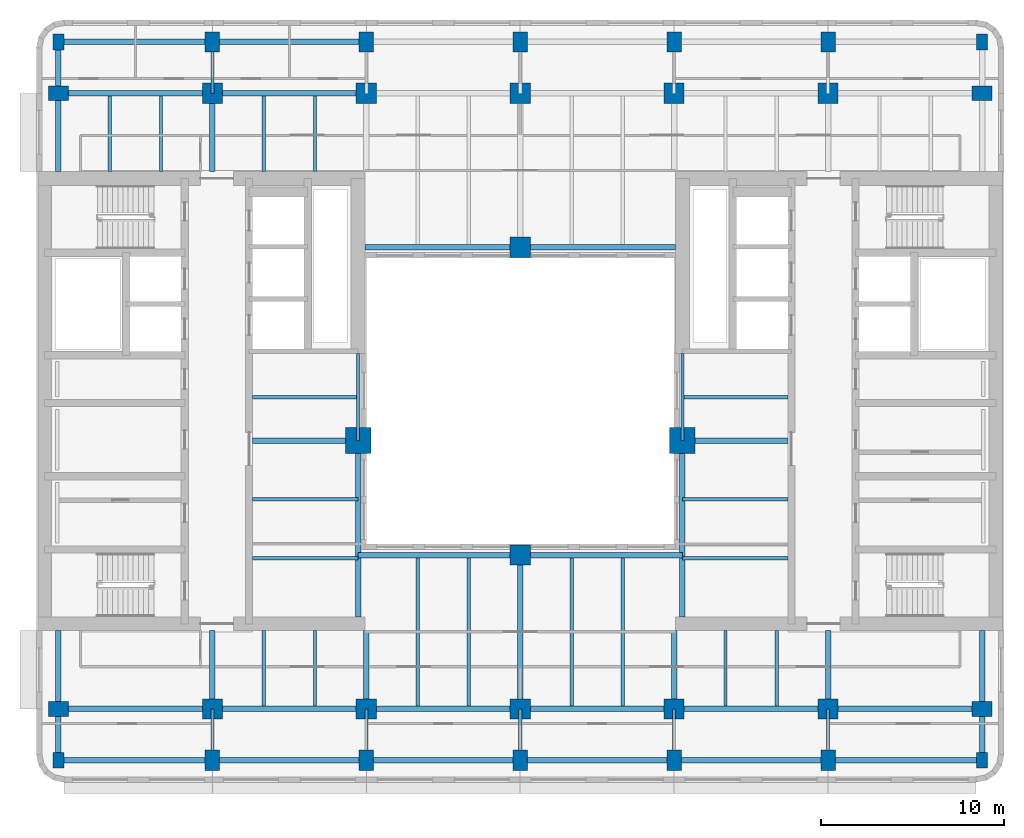
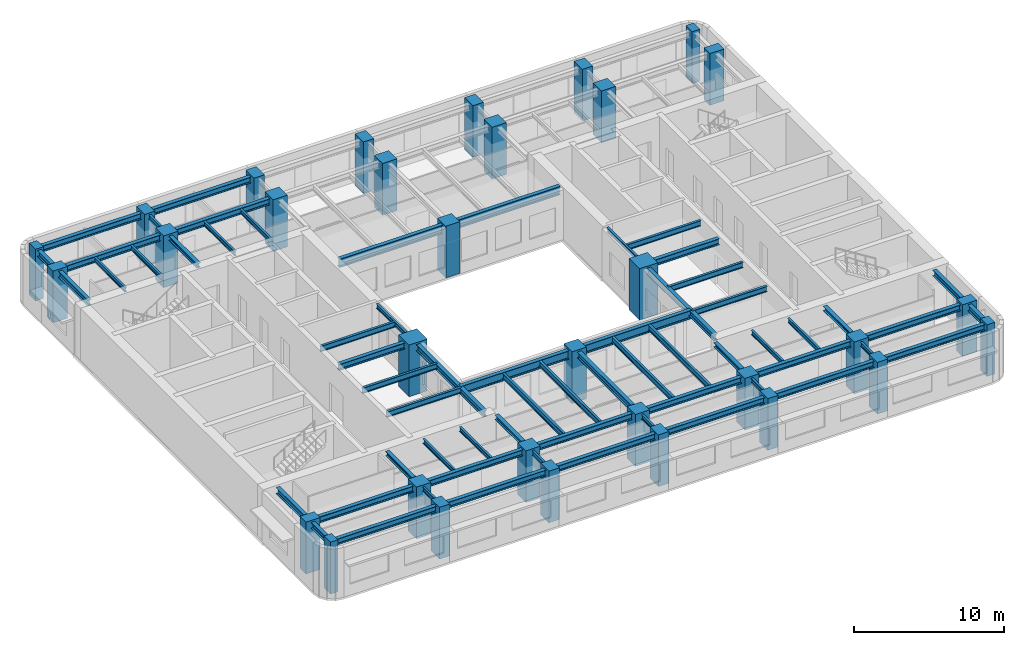
# One storey, part 1 of 11: 62 beams, 32 columns.
"""IFC4 building model written with IfcOpenShell, lengths in metres."""

from ifc_helpers import new_model, si_unit, direction, frame, origin, origin_2d, place, context, subcontext, project, spatial, rectangle, i_section, extrude, material, material_profile, profile_set, type_object, element, save


model = new_model("IFC4")

# Units and contexts
model_context = context("Model", 3, precision=1e-05, world=origin(), true_north=direction((0.0, 1.0)))
body_context = subcontext(model_context, "Body", "Model", "MODEL_VIEW")
ifc_project = project(units=[si_unit("LENGTHUNIT", "METRE"), si_unit("AREAUNIT", "SQUARE_METRE"), si_unit("VOLUMEUNIT", "CUBIC_METRE"), si_unit("PLANEANGLEUNIT", "RADIAN"), si_unit("MASSUNIT", "GRAM", prefix="KILO")], contexts=[model_context])

# Site, building, storey
site_placement = place(None, origin())
site = spatial("IfcSite", under=ifc_project, at=site_placement, CompositionType="ELEMENT")
building_placement = place(site_placement, origin())
building = spatial("IfcBuilding", under=site, at=building_placement, Name="Claustro Exchange Tower", CompositionType="ELEMENT")
storey_placement = place(building_placement, frame((0.0, 0.0, 194.39990234375)))
storey = spatial("IfcBuildingStorey", under=building, at=storey_placement, Name="L44", CompositionType="ELEMENT", Elevation=194.39990234375)

# Columns
ifc_material_1 = material(Name="Concrete HA-70 (C70/85)", Category="concrete")
ifc_material_profile_1 = material_profile(ifc_material_1, rectangle(XDim=1.39990234375, YDim=1.39990234375, at=origin_2d()), Name="RC 1400x1400")
ifc_profile_set_1 = profile_set([ifc_material_profile_1], Name="Concrete HA-70 (C70/85)")
column_type_1 = type_object("IfcColumnType", Name="C0 RC 1400x1400 HA-70 column", PredefinedType="COLUMN", material=ifc_profile_set_1)
for number, where, z_axis, x_axis, name in (
    (1, (16.35009765625, 23.050048828125, 0.0), (0.0, 0.0, 1.0), (1.0, 0.0, 0.0), "Column C0 2+7950/C+6250 L44"),
    (2, (34.050048828125, 23.050048828125, 0.0), (0.0, 0.0, 1.0), (1.0, 0.0, 0.0), "Column C0 5+450/C+6250 L44"),
):
    element("IfcColumn", number, at=place(storey_placement, frame(where, z_axis=z_axis, x_axis=x_axis)), inside=storey, type_object=column_type_1, Name=name, PredefinedType="COLUMN", context=body_context, shape_type="SweptSolid", body=[
        extrude(rectangle(XDim=1.39990234375, YDim=1.39990234375, at=origin_2d()), origin(), (0.0, 0.0, 1.0), 4.2001953125),
    ])
ifc_material_2 = material(Name="Concrete HA-70 (C70/85)", Category="concrete")
ifc_material_profile_2 = material_profile(ifc_material_2, rectangle(XDim=1.10009765625, YDim=1.10009765625, at=origin_2d()), Name="RC 1100x1100")
ifc_profile_set_2 = profile_set([ifc_material_profile_2], Name="Concrete HA-70 (C70/85)")
column_type_2 = type_object("IfcColumnType", Name="C17 RC 1100x1100 HA-70 column", PredefinedType="COLUMN", material=ifc_profile_set_2)
for number, where, z_axis, x_axis, name in (
    (3, (8.39990234375, 8.39990234375, 0.0), (0.0, 0.0, 1.0), (1.0, 0.0, 0.0), "Column C17 2/B L44"),
    (4, (8.39990234375, 42.0, 0.0), (0.0, 0.0, 1.0), (1.0, 0.0, 0.0), "Column C17 2/F L44"),
    (5, (16.800048828125, 8.39990234375, 0.0), (0.0, 0.0, 1.0), (1.0, 0.0, 0.0), "Column C17 3/B L44"),
    (6, (16.800048828125, 42.0, 0.0), (0.0, 0.0, 1.0), (1.0, 0.0, 0.0), "Column C17 3/F L44"),
    (7, (25.199951171875, 8.39990234375, 0.0), (0.0, 0.0, 1.0), (1.0, 0.0, 0.0), "Column C17 4/B L44"),
    (8, (25.199951171875, 42.0, 0.0), (0.0, 0.0, 1.0), (1.0, 0.0, 0.0), "Column C17 4/F L44"),
    (9, (25.199951171875, 16.800048828125, 0.0), (0.0, 0.0, 1.0), (1.0, 0.0, 0.0), "Column C17 4/C L44"),
    (10, (25.199951171875, 33.60009765625, 0.0), (0.0, 0.0, 1.0), (1.0, 0.0, 0.0), "Column C17 4/E L44"),
    (11, (33.60009765625, 8.39990234375, 0.0), (0.0, 0.0, 1.0), (1.0, 0.0, 0.0), "Column C17 5/B L44"),
    (12, (33.60009765625, 42.0, 0.0), (0.0, 0.0, 1.0), (1.0, 0.0, 0.0), "Column C17 5/F L44"),
    (13, (42.0, 8.39990234375, 0.0), (0.0, 0.0, 1.0), (1.0, 0.0, 0.0), "Column C17 6/B L44"),
    (14, (42.0, 42.0, 0.0), (0.0, 0.0, 1.0), (1.0, 0.0, 0.0), "Column C17 6/F L44"),
):
    element("IfcColumn", number, at=place(storey_placement, frame(where, z_axis=z_axis, x_axis=x_axis)), inside=storey, type_object=column_type_2, Name=name, PredefinedType="COLUMN", context=body_context, shape_type="SweptSolid", body=[
        extrude(rectangle(XDim=1.10009765625, YDim=1.10009765625, at=origin_2d()), origin(), (0.0, 0.0, 1.0), 4.2001953125),
    ])
ifc_material_3 = material(Name="Concrete HA-50 (C50/60)", Category="concrete")
ifc_material_profile_3 = material_profile(ifc_material_3, rectangle(XDim=0.800048828125, YDim=1.10009765625, at=origin_2d()), Name="RC 800x1100")
ifc_profile_set_3 = profile_set([ifc_material_profile_3], Name="Concrete HA-50 (C50/60)")
column_type_3 = type_object("IfcColumnType", Name="C23 RC 800x1100 HA-50 perimeter column", PredefinedType="COLUMN", material=ifc_profile_set_3)
for number, where, z_axis, x_axis, name in (
    (15, (0.0, 8.39990234375, 0.0), (0.0, 0.0, 1.0), (0.0, 1.0, 0.0), "Column C23 1/B L44"),
    (16, (0.0, 42.0, 0.0), (0.0, 0.0, 1.0), (0.0, 1.0, 0.0), "Column C23 1/F L44"),
    (17, (8.39990234375, 5.60009765625, 0.0), (0.0, 0.0, 1.0), (1.0, 0.0, 0.0), "Column C23 2/A+5600 L44"),
    (18, (8.39990234375, 44.800048828125, 0.0), (0.0, 0.0, 1.0), (1.0, 0.0, 0.0), "Column C23 2/F+2800 L44"),
    (19, (16.800048828125, 5.60009765625, 0.0), (0.0, 0.0, 1.0), (1.0, 0.0, 0.0), "Column C23 3/A+5600 L44"),
    (20, (16.800048828125, 44.800048828125, 0.0), (0.0, 0.0, 1.0), (1.0, 0.0, 0.0), "Column C23 3/F+2800 L44"),
    (21, (25.199951171875, 5.60009765625, 0.0), (0.0, 0.0, 1.0), (1.0, 0.0, 0.0), "Column C23 4/A+5600 L44"),
    (22, (25.199951171875, 44.800048828125, 0.0), (0.0, 0.0, 1.0), (1.0, 0.0, 0.0), "Column C23 4/F+2800 L44"),
    (23, (33.60009765625, 5.60009765625, 0.0), (0.0, 0.0, 1.0), (1.0, 0.0, 0.0), "Column C23 5/A+5600 L44"),
    (24, (33.60009765625, 44.800048828125, 0.0), (0.0, 0.0, 1.0), (1.0, 0.0, 0.0), "Column C23 5/F+2800 L44"),
    (25, (42.0, 5.60009765625, 0.0), (0.0, 0.0, 1.0), (1.0, 0.0, 0.0), "Column C23 6/A+5600 L44"),
    (26, (42.0, 44.800048828125, 0.0), (0.0, 0.0, 1.0), (1.0, 0.0, 0.0), "Column C23 6/F+2800 L44"),
    (27, (50.39990234375, 8.39990234375, 0.0), (0.0, 0.0, 1.0), (0.0, 1.0, 0.0), "Column C23 7/B L44"),
    (28, (50.39990234375, 42.0, 0.0), (0.0, 0.0, 1.0), (0.0, 1.0, 0.0), "Column C23 7/F L44"),
):
    element("IfcColumn", number, at=place(storey_placement, frame(where, z_axis=z_axis, x_axis=x_axis)), inside=storey, type_object=column_type_3, Name=name, PredefinedType="COLUMN", context=body_context, shape_type="SweptSolid", body=[
        extrude(rectangle(XDim=0.800048828125, YDim=1.10009765625, at=origin_2d()), origin(), (0.0, 0.0, 1.0), 4.2001953125),
    ])
ifc_material_4 = material(Name="Concrete HA-50 (C50/60)", Category="concrete")
ifc_material_profile_4 = material_profile(ifc_material_4, rectangle(XDim=0.60009765625, YDim=0.85009765625, at=origin_2d()), Name="RC 600x850")
ifc_profile_set_4 = profile_set([ifc_material_profile_4], Name="Concrete HA-50 (C50/60)")
column_type_4 = type_object("IfcColumnType", Name="C25 RC 600x850 HA-50 corner column", PredefinedType="COLUMN", material=ifc_profile_set_4)
for number, where, z_axis, x_axis, name in (
    (29, (0.0, 5.60009765625, 0.0), (0.0, 0.0, 1.0), (1.0, 0.0, 0.0), "Column C25 1/A+5600 L44"),
    (30, (0.0, 44.800048828125, 0.0), (0.0, 0.0, 1.0), (1.0, 0.0, 0.0), "Column C25 1/F+2800 L44"),
    (31, (50.39990234375, 5.60009765625, 0.0), (0.0, 0.0, 1.0), (1.0, 0.0, 0.0), "Column C25 7/A+5600 L44"),
    (32, (50.39990234375, 44.800048828125, 0.0), (0.0, 0.0, 1.0), (1.0, 0.0, 0.0), "Column C25 7/F+2800 L44"),
):
    element("IfcColumn", number, at=place(storey_placement, frame(where, z_axis=z_axis, x_axis=x_axis)), inside=storey, type_object=column_type_4, Name=name, PredefinedType="COLUMN", context=body_context, shape_type="SweptSolid", body=[
        extrude(rectangle(XDim=0.60009765625, YDim=0.85009765625, at=origin_2d()), origin(), (0.0, 0.0, 1.0), 4.2001953125),
    ])

# Beams
ifc_material_5 = material(Name="Steel S355", Category="steel")
ifc_material_profile_5 = material_profile(ifc_material_5, i_section(OverallWidth=0.300048828125, OverallDepth=0.68994140625, WebThickness=0.014404296875, FlangeThickness=0.027099609375, FilletRadius=0.027099609375, at=origin_2d()), Name="HE 700 A")
ifc_profile_set_5 = profile_set([ifc_material_profile_5], Name="Steel S355")
beam_type_1 = type_object("IfcBeamType", Name="B13 HE 700 A light well edge girder", PredefinedType="BEAM", material=ifc_profile_set_5)
beam_1_placement = place(storey_placement, frame((16.35009765625, 16.800048828125, 3.705078125), z_axis=(1.0, 0.0, 0.0), x_axis=(0.0, 1.0, 0.0)))
element("IfcBeam", 33, at=beam_1_placement, inside=storey, type_object=beam_type_1, Name="Beam B13 L45", PredefinedType="BEAM", context=body_context, shape_type="SweptSolid", body=[
    extrude(i_section(OverallWidth=0.300048828125, OverallDepth=0.68994140625, WebThickness=0.014404296875, FlangeThickness=0.027099609375, FilletRadius=0.027099609375, at=origin_2d()), origin(), (0.0, 0.0, 1.0), 8.849853515625),
])
beam_2_placement = place(storey_placement, frame((25.199951171875, 16.800048828125, 3.705078125), z_axis=(1.0, 0.0, 0.0), x_axis=(0.0, 1.0, 0.0)))
element("IfcBeam", 34, at=beam_2_placement, inside=storey, type_object=beam_type_1, Name="Beam B13 L45", PredefinedType="BEAM", context=body_context, shape_type="SweptSolid", body=[
    extrude(i_section(OverallWidth=0.300048828125, OverallDepth=0.68994140625, WebThickness=0.014404296875, FlangeThickness=0.027099609375, FilletRadius=0.027099609375, at=origin_2d()), origin(), (0.0, 0.0, 1.0), 8.85009765625),
])
beam_3_placement = place(storey_placement, frame((16.72509765625, 33.60009765625, 3.705078125), z_axis=(1.0, 0.0, 0.0), x_axis=(0.0, 1.0, 0.0)))
element("IfcBeam", 35, at=beam_3_placement, inside=storey, type_object=beam_type_1, Name="Beam B13 L45", PredefinedType="BEAM", context=body_context, shape_type="SweptSolid", body=[
    extrude(i_section(OverallWidth=0.300048828125, OverallDepth=0.68994140625, WebThickness=0.014404296875, FlangeThickness=0.027099609375, FilletRadius=0.027099609375, at=origin_2d()), origin(), (0.0, 0.0, 1.0), 8.474853515625),
])
beam_4_placement = place(storey_placement, frame((25.199951171875, 33.60009765625, 3.705078125), z_axis=(1.0, 0.0, 0.0), x_axis=(0.0, 1.0, 0.0)))
element("IfcBeam", 36, at=beam_4_placement, inside=storey, type_object=beam_type_1, Name="Beam B13 L45", PredefinedType="BEAM", context=body_context, shape_type="SweptSolid", body=[
    extrude(i_section(OverallWidth=0.300048828125, OverallDepth=0.68994140625, WebThickness=0.014404296875, FlangeThickness=0.027099609375, FilletRadius=0.027099609375, at=origin_2d()), origin(), (0.0, 0.0, 1.0), 8.47509765625),
])
ifc_material_6 = material(Name="Steel S355", Category="steel")
ifc_material_profile_6 = material_profile(ifc_material_6, i_section(OverallWidth=0.169921875, OverallDepth=0.360107421875, WebThickness=0.008056640625, FlangeThickness=0.0126953125, FilletRadius=0.01806640625, at=origin_2d()), Name="IPE 360")
ifc_profile_set_6 = profile_set([ifc_material_profile_6], Name="Steel S355")
beam_type_2 = type_object("IfcBeamType", Name="B16 IPE 360 short-span beam", PredefinedType="BEAM", material=ifc_profile_set_6)
beam_5_placement = place(storey_placement, frame((8.39990234375, 5.60009765625, 3.8701171875), z_axis=(0.0, 1.0, 0.0), x_axis=(-1.0, 0.0, 0.0)))
element("IfcBeam", 37, at=beam_5_placement, inside=storey, type_object=beam_type_2, Name="Beam B16 L45", PredefinedType="BEAM", context=body_context, shape_type="SweptSolid", body=[
    extrude(i_section(OverallWidth=0.169921875, OverallDepth=0.360107421875, WebThickness=0.008056640625, FlangeThickness=0.0126953125, FilletRadius=0.01806640625, at=origin_2d()), origin(), (0.0, 0.0, 1.0), 2.7998046875),
])
beam_6_placement = place(storey_placement, frame((8.39990234375, 42.0, 3.8701171875), z_axis=(0.0, 1.0, 0.0), x_axis=(-1.0, 0.0, 0.0)))
element("IfcBeam", 38, at=beam_6_placement, inside=storey, type_object=beam_type_2, Name="Beam B16 L45", PredefinedType="BEAM", context=body_context, shape_type="SweptSolid", body=[
    extrude(i_section(OverallWidth=0.169921875, OverallDepth=0.360107421875, WebThickness=0.008056640625, FlangeThickness=0.0126953125, FilletRadius=0.01806640625, at=origin_2d()), origin(), (0.0, 0.0, 1.0), 2.800048828125),
])
for number, where, z_axis, x_axis, name in (
    (39, (16.800048828125, 5.60009765625, 3.8701171875), (0.0, 1.0, 0.0), (-1.0, 0.0, 0.0), "Beam B16 L45"),
    (40, (25.199951171875, 5.60009765625, 3.8701171875), (0.0, 1.0, 0.0), (-1.0, 0.0, 0.0), "Beam B16 L45"),
    (41, (33.60009765625, 5.60009765625, 3.8701171875), (0.0, 1.0, 0.0), (-1.0, 0.0, 0.0), "Beam B16 L45"),
    (42, (42.0, 5.60009765625, 3.8701171875), (0.0, 1.0, 0.0), (-1.0, 0.0, 0.0), "Beam B16 L45"),
):
    element("IfcBeam", number, at=place(storey_placement, frame(where, z_axis=z_axis, x_axis=x_axis)), inside=storey, type_object=beam_type_2, Name=name, PredefinedType="BEAM", context=body_context, shape_type="SweptSolid", body=[
        extrude(i_section(OverallWidth=0.169921875, OverallDepth=0.360107421875, WebThickness=0.008056640625, FlangeThickness=0.0126953125, FilletRadius=0.01806640625, at=origin_2d()), origin(), (0.0, 0.0, 1.0), 2.7998046875),
    ])
for number, where, z_axis, x_axis, name in (
    (43, (2.800048828125, 37.72509765625, 3.8701171875), (0.0, 1.0, 0.0), (-1.0, 0.0, 0.0), "Beam B16 L45"),
    (44, (5.60009765625, 37.72509765625, 3.8701171875), (0.0, 1.0, 0.0), (-1.0, 0.0, 0.0), "Beam B16 L45"),
    (45, (11.199951171875, 8.550048828125, 3.8701171875), (0.0, 1.0, 0.0), (-1.0, 0.0, 0.0), "Beam B16 L45"),
    (46, (14.0, 8.550048828125, 3.8701171875), (0.0, 1.0, 0.0), (-1.0, 0.0, 0.0), "Beam B16 L45"),
    (47, (11.199951171875, 37.72509765625, 3.8701171875), (0.0, 1.0, 0.0), (-1.0, 0.0, 0.0), "Beam B16 L45"),
    (48, (14.0, 37.72509765625, 3.8701171875), (0.0, 1.0, 0.0), (-1.0, 0.0, 0.0), "Beam B16 L45"),
    (49, (36.39990234375, 8.550048828125, 3.8701171875), (0.0, 1.0, 0.0), (-1.0, 0.0, 0.0), "Beam B16 L45"),
    (50, (39.199951171875, 8.550048828125, 3.8701171875), (0.0, 1.0, 0.0), (-1.0, 0.0, 0.0), "Beam B16 L45"),
):
    element("IfcBeam", number, at=place(storey_placement, frame(where, z_axis=z_axis, x_axis=x_axis)), inside=storey, type_object=beam_type_2, Name=name, PredefinedType="BEAM", context=body_context, shape_type="SweptSolid", body=[
        extrude(i_section(OverallWidth=0.169921875, OverallDepth=0.360107421875, WebThickness=0.008056640625, FlangeThickness=0.0126953125, FilletRadius=0.01806640625, at=origin_2d()), origin(), (0.0, 0.0, 1.0), 4.125),
    ])
for number, where, z_axis, x_axis, name in (
    (51, (16.35009765625, 23.050048828125, 3.8701171875), (0.0, 1.0, 0.0), (-1.0, 0.0, 0.0), "Beam B16 core step framing L45"),
    (52, (34.050048828125, 23.050048828125, 3.8701171875), (0.0, 1.0, 0.0), (-1.0, 0.0, 0.0), "Beam B16 core step framing L45"),
):
    element("IfcBeam", number, at=place(storey_placement, frame(where, z_axis=z_axis, x_axis=x_axis)), inside=storey, type_object=beam_type_2, Name=name, PredefinedType="BEAM", context=body_context, shape_type="SweptSolid", body=[
        extrude(i_section(OverallWidth=0.169921875, OverallDepth=0.360107421875, WebThickness=0.008056640625, FlangeThickness=0.0126953125, FilletRadius=0.01806640625, at=origin_2d()), origin(), (0.0, 0.0, 1.0), 4.75),
    ])
ifc_material_7 = material(Name="Steel S355", Category="steel")
ifc_material_profile_7 = material_profile(ifc_material_7, i_section(OverallWidth=0.300048828125, OverallDepth=0.360107421875, WebThickness=0.012451171875, FlangeThickness=0.0224609375, FilletRadius=0.027099609375, at=origin_2d()), Name="HE 360 B")
ifc_profile_set_7 = profile_set([ifc_material_profile_7], Name="Steel S355")
beam_type_3 = type_object("IfcBeamType", Name="B29 HE 360 B column to core link beam", PredefinedType="BEAM", material=ifc_profile_set_7)
beam_7_placement = place(storey_placement, frame((8.39990234375, 8.39990234375, 3.8701171875), z_axis=(0.0, 1.0, 0.0), x_axis=(-1.0, 0.0, 0.0)))
element("IfcBeam", 53, at=beam_7_placement, inside=storey, type_object=beam_type_3, Name="Beam B29 L45", PredefinedType="BEAM", context=body_context, shape_type="SweptSolid", body=[
    extrude(i_section(OverallWidth=0.300048828125, OverallDepth=0.360107421875, WebThickness=0.012451171875, FlangeThickness=0.0224609375, FilletRadius=0.027099609375, at=origin_2d()), origin(), (0.0, 0.0, 1.0), 4.275146484375),
])
beam_8_placement = place(storey_placement, frame((8.39990234375, 37.72509765625, 3.8701171875), z_axis=(0.0, 1.0, 0.0), x_axis=(-1.0, 0.0, 0.0)))
element("IfcBeam", 54, at=beam_8_placement, inside=storey, type_object=beam_type_3, Name="Beam B29 L45", PredefinedType="BEAM", context=body_context, shape_type="SweptSolid", body=[
    extrude(i_section(OverallWidth=0.300048828125, OverallDepth=0.360107421875, WebThickness=0.012451171875, FlangeThickness=0.0224609375, FilletRadius=0.027099609375, at=origin_2d()), origin(), (0.0, 0.0, 1.0), 4.27490234375),
])
for number, where, z_axis, x_axis, name in (
    (55, (16.800048828125, 8.39990234375, 3.8701171875), (0.0, 1.0, 0.0), (-1.0, 0.0, 0.0), "Beam B29 L45"),
    (56, (33.60009765625, 8.39990234375, 3.8701171875), (0.0, 1.0, 0.0), (-1.0, 0.0, 0.0), "Beam B29 L45"),
    (57, (42.0, 8.39990234375, 3.8701171875), (0.0, 1.0, 0.0), (-1.0, 0.0, 0.0), "Beam B29 L45"),
):
    element("IfcBeam", number, at=place(storey_placement, frame(where, z_axis=z_axis, x_axis=x_axis)), inside=storey, type_object=beam_type_3, Name=name, PredefinedType="BEAM", context=body_context, shape_type="SweptSolid", body=[
        extrude(i_section(OverallWidth=0.300048828125, OverallDepth=0.360107421875, WebThickness=0.012451171875, FlangeThickness=0.0224609375, FilletRadius=0.027099609375, at=origin_2d()), origin(), (0.0, 0.0, 1.0), 4.275146484375),
    ])
ifc_material_8 = material(Name="Steel S355", Category="steel")
ifc_material_profile_8 = material_profile(ifc_material_8, i_section(OverallWidth=0.300048828125, OverallDepth=0.5, WebThickness=0.014404296875, FlangeThickness=0.028076171875, FilletRadius=0.027099609375, at=origin_2d()), Name="HE 500 B")
ifc_profile_set_8 = profile_set([ifc_material_profile_8], Name="Steel S355")
beam_type_4 = type_object("IfcBeamType", Name="B7 HE 500 B floor girder", PredefinedType="BEAM", material=ifc_profile_set_8)
beam_9_placement = place(storey_placement, frame((25.199951171875, 8.39990234375, 3.800048828125), z_axis=(0.0, 1.0, 0.0), x_axis=(-1.0, 0.0, 0.0)))
element("IfcBeam", 58, at=beam_9_placement, inside=storey, type_object=beam_type_4, Name="Beam B7 L45", PredefinedType="BEAM", context=body_context, shape_type="SweptSolid", body=[
    extrude(i_section(OverallWidth=0.300048828125, OverallDepth=0.5, WebThickness=0.014404296875, FlangeThickness=0.028076171875, FilletRadius=0.027099609375, at=origin_2d()), origin(), (0.0, 0.0, 1.0), 8.400146484375),
])
beam_10_placement = place(storey_placement, frame((0.0, 8.39990234375, 3.800048828125), z_axis=(1.0, 0.0, 0.0), x_axis=(0.0, 1.0, 0.0)))
element("IfcBeam", 59, at=beam_10_placement, inside=storey, type_object=beam_type_4, Name="Beam B7 L45", PredefinedType="BEAM", context=body_context, shape_type="SweptSolid", body=[
    extrude(i_section(OverallWidth=0.300048828125, OverallDepth=0.5, WebThickness=0.014404296875, FlangeThickness=0.028076171875, FilletRadius=0.027099609375, at=origin_2d()), origin(), (0.0, 0.0, 1.0), 8.39990234375),
])
beam_11_placement = place(storey_placement, frame((8.39990234375, 8.39990234375, 3.800048828125), z_axis=(1.0, 0.0, 0.0), x_axis=(0.0, 1.0, 0.0)))
element("IfcBeam", 60, at=beam_11_placement, inside=storey, type_object=beam_type_4, Name="Beam B7 L45", PredefinedType="BEAM", context=body_context, shape_type="SweptSolid", body=[
    extrude(i_section(OverallWidth=0.300048828125, OverallDepth=0.5, WebThickness=0.014404296875, FlangeThickness=0.028076171875, FilletRadius=0.027099609375, at=origin_2d()), origin(), (0.0, 0.0, 1.0), 8.400146484375),
])
beam_12_placement = place(storey_placement, frame((16.800048828125, 8.39990234375, 3.800048828125), z_axis=(1.0, 0.0, 0.0), x_axis=(0.0, 1.0, 0.0)))
element("IfcBeam", 61, at=beam_12_placement, inside=storey, type_object=beam_type_4, Name="Beam B7 L45", PredefinedType="BEAM", context=body_context, shape_type="SweptSolid", body=[
    extrude(i_section(OverallWidth=0.300048828125, OverallDepth=0.5, WebThickness=0.014404296875, FlangeThickness=0.028076171875, FilletRadius=0.027099609375, at=origin_2d()), origin(), (0.0, 0.0, 1.0), 8.39990234375),
])
beam_13_placement = place(storey_placement, frame((25.199951171875, 8.39990234375, 3.800048828125), z_axis=(1.0, 0.0, 0.0), x_axis=(0.0, 1.0, 0.0)))
element("IfcBeam", 62, at=beam_13_placement, inside=storey, type_object=beam_type_4, Name="Beam B7 L45", PredefinedType="BEAM", context=body_context, shape_type="SweptSolid", body=[
    extrude(i_section(OverallWidth=0.300048828125, OverallDepth=0.5, WebThickness=0.014404296875, FlangeThickness=0.028076171875, FilletRadius=0.027099609375, at=origin_2d()), origin(), (0.0, 0.0, 1.0), 8.400146484375),
])
for number, where, z_axis, x_axis, name in (
    (63, (33.60009765625, 8.39990234375, 3.800048828125), (1.0, 0.0, 0.0), (0.0, 1.0, 0.0), "Beam B7 L45"),
    (64, (42.0, 8.39990234375, 3.800048828125), (1.0, 0.0, 0.0), (0.0, 1.0, 0.0), "Beam B7 L45"),
    (65, (0.0, 42.0, 3.800048828125), (1.0, 0.0, 0.0), (0.0, 1.0, 0.0), "Beam B7 L45"),
):
    element("IfcBeam", number, at=place(storey_placement, frame(where, z_axis=z_axis, x_axis=x_axis)), inside=storey, type_object=beam_type_4, Name=name, PredefinedType="BEAM", context=body_context, shape_type="SweptSolid", body=[
        extrude(i_section(OverallWidth=0.300048828125, OverallDepth=0.5, WebThickness=0.014404296875, FlangeThickness=0.028076171875, FilletRadius=0.027099609375, at=origin_2d()), origin(), (0.0, 0.0, 1.0), 8.39990234375),
    ])
beam_14_placement = place(storey_placement, frame((8.39990234375, 42.0, 3.800048828125), z_axis=(1.0, 0.0, 0.0), x_axis=(0.0, 1.0, 0.0)))
element("IfcBeam", 66, at=beam_14_placement, inside=storey, type_object=beam_type_4, Name="Beam B7 L45", PredefinedType="BEAM", context=body_context, shape_type="SweptSolid", body=[
    extrude(i_section(OverallWidth=0.300048828125, OverallDepth=0.5, WebThickness=0.014404296875, FlangeThickness=0.028076171875, FilletRadius=0.027099609375, at=origin_2d()), origin(), (0.0, 0.0, 1.0), 8.400146484375),
])
beam_15_placement = place(storey_placement, frame((10.60009765625, 23.050048828125, 3.800048828125), z_axis=(1.0, 0.0, 0.0), x_axis=(0.0, 1.0, 0.0)))
element("IfcBeam", 67, at=beam_15_placement, inside=storey, type_object=beam_type_4, Name="Beam B7 core step framing L45", PredefinedType="BEAM", context=body_context, shape_type="SweptSolid", body=[
    extrude(i_section(OverallWidth=0.300048828125, OverallDepth=0.5, WebThickness=0.014404296875, FlangeThickness=0.028076171875, FilletRadius=0.027099609375, at=origin_2d()), origin(), (0.0, 0.0, 1.0), 5.75),
])
beam_16_placement = place(storey_placement, frame((16.35009765625, 13.425048828125, 3.800048828125), z_axis=(0.0, 1.0, 0.0), x_axis=(-1.0, 0.0, 0.0)))
element("IfcBeam", 68, at=beam_16_placement, inside=storey, type_object=beam_type_4, Name="Beam B7 core step framing L45", PredefinedType="BEAM", context=body_context, shape_type="SweptSolid", body=[
    extrude(i_section(OverallWidth=0.300048828125, OverallDepth=0.5, WebThickness=0.014404296875, FlangeThickness=0.028076171875, FilletRadius=0.027099609375, at=origin_2d()), origin(), (0.0, 0.0, 1.0), 9.625),
])
beam_17_placement = place(storey_placement, frame((34.050048828125, 23.050048828125, 3.800048828125), z_axis=(1.0, 0.0, 0.0), x_axis=(0.0, 1.0, 0.0)))
element("IfcBeam", 69, at=beam_17_placement, inside=storey, type_object=beam_type_4, Name="Beam B7 core step framing L45", PredefinedType="BEAM", context=body_context, shape_type="SweptSolid", body=[
    extrude(i_section(OverallWidth=0.300048828125, OverallDepth=0.5, WebThickness=0.014404296875, FlangeThickness=0.028076171875, FilletRadius=0.027099609375, at=origin_2d()), origin(), (0.0, 0.0, 1.0), 5.75),
])
beam_18_placement = place(storey_placement, frame((34.050048828125, 13.425048828125, 3.800048828125), z_axis=(0.0, 1.0, 0.0), x_axis=(-1.0, 0.0, 0.0)))
element("IfcBeam", 70, at=beam_18_placement, inside=storey, type_object=beam_type_4, Name="Beam B7 core step framing L45", PredefinedType="BEAM", context=body_context, shape_type="SweptSolid", body=[
    extrude(i_section(OverallWidth=0.300048828125, OverallDepth=0.5, WebThickness=0.014404296875, FlangeThickness=0.028076171875, FilletRadius=0.027099609375, at=origin_2d()), origin(), (0.0, 0.0, 1.0), 9.625),
])
ifc_material_9 = material(Name="Steel S355", Category="steel")
ifc_material_profile_9 = material_profile(ifc_material_9, i_section(OverallWidth=0.18994140625, OverallDepth=0.449951171875, WebThickness=0.009521484375, FlangeThickness=0.0146484375, FilletRadius=0.02099609375, at=origin_2d()), Name="IPE 450")
ifc_profile_set_9 = profile_set([ifc_material_profile_9], Name="Steel S355")
beam_type_5 = type_object("IfcBeamType", Name="B8 IPE 450 secondary beam", PredefinedType="BEAM", material=ifc_profile_set_9)
for number, where, z_axis, x_axis, name in (
    (71, (19.60009765625, 8.550048828125, 3.8251953125), (0.0, 1.0, 0.0), (-1.0, 0.0, 0.0), "Beam B8 L45"),
    (72, (22.39990234375, 8.550048828125, 3.8251953125), (0.0, 1.0, 0.0), (-1.0, 0.0, 0.0), "Beam B8 L45"),
    (73, (28.0, 8.550048828125, 3.8251953125), (0.0, 1.0, 0.0), (-1.0, 0.0, 0.0), "Beam B8 L45"),
    (74, (30.800048828125, 8.550048828125, 3.8251953125), (0.0, 1.0, 0.0), (-1.0, 0.0, 0.0), "Beam B8 L45"),
):
    element("IfcBeam", number, at=place(storey_placement, frame(where, z_axis=z_axis, x_axis=x_axis)), inside=storey, type_object=beam_type_5, Name=name, PredefinedType="BEAM", context=body_context, shape_type="SweptSolid", body=[
        extrude(i_section(OverallWidth=0.18994140625, OverallDepth=0.449951171875, WebThickness=0.009521484375, FlangeThickness=0.0146484375, FilletRadius=0.02099609375, at=origin_2d()), origin(), (0.0, 0.0, 1.0), 8.099853515625),
    ])
for number, where, z_axis, x_axis, name in (
    (75, (10.60009765625, 16.63330078125, 3.8251953125), (1.0, 0.0, 0.0), (0.0, 1.0, 0.0), "Beam B8 core step framing L45"),
    (76, (10.60009765625, 19.841796875, 3.8251953125), (1.0, 0.0, 0.0), (0.0, 1.0, 0.0), "Beam B8 core step framing L45"),
    (77, (10.60009765625, 25.425048828125, 3.8251953125), (1.0, 0.0, 0.0), (0.0, 1.0, 0.0), "Beam B8 core step framing L45"),
    (78, (34.050048828125, 16.63330078125, 3.8251953125), (1.0, 0.0, 0.0), (0.0, 1.0, 0.0), "Beam B8 core step framing L45"),
    (79, (34.050048828125, 19.841796875, 3.8251953125), (1.0, 0.0, 0.0), (0.0, 1.0, 0.0), "Beam B8 core step framing L45"),
    (80, (34.050048828125, 25.425048828125, 3.8251953125), (1.0, 0.0, 0.0), (0.0, 1.0, 0.0), "Beam B8 core step framing L45"),
):
    element("IfcBeam", number, at=place(storey_placement, frame(where, z_axis=z_axis, x_axis=x_axis)), inside=storey, type_object=beam_type_5, Name=name, PredefinedType="BEAM", context=body_context, shape_type="SweptSolid", body=[
        extrude(i_section(OverallWidth=0.18994140625, OverallDepth=0.449951171875, WebThickness=0.009521484375, FlangeThickness=0.0146484375, FilletRadius=0.02099609375, at=origin_2d()), origin(), (0.0, 0.0, 1.0), 5.75),
    ])
ifc_material_10 = material(Name="Steel S355", Category="steel")
ifc_material_profile_10 = material_profile(ifc_material_10, i_section(OverallWidth=0.300048828125, OverallDepth=0.489990234375, WebThickness=0.011962890625, FlangeThickness=0.02294921875, FilletRadius=0.027099609375, at=origin_2d()), Name="HE 500 A")
ifc_profile_set_10 = profile_set([ifc_material_profile_10], Name="Steel S355")
beam_type_6 = type_object("IfcBeamType", Name="B9 HE 500 A spandrel edge girder", PredefinedType="SPANDREL", material=ifc_profile_set_10)
beam_19_placement = place(storey_placement, frame((0.0, 5.60009765625, 3.80517578125), z_axis=(0.0, 1.0, 0.0), x_axis=(-1.0, 0.0, 0.0)))
element("IfcBeam", 81, at=beam_19_placement, inside=storey, type_object=beam_type_6, Name="Beam B9 L45", PredefinedType="SPANDREL", context=body_context, shape_type="SweptSolid", body=[
    extrude(i_section(OverallWidth=0.300048828125, OverallDepth=0.489990234375, WebThickness=0.011962890625, FlangeThickness=0.02294921875, FilletRadius=0.027099609375, at=origin_2d()), origin(), (0.0, 0.0, 1.0), 2.7998046875),
])
beam_20_placement = place(storey_placement, frame((0.0, 8.39990234375, 3.80517578125), z_axis=(0.0, 1.0, 0.0), x_axis=(-1.0, 0.0, 0.0)))
element("IfcBeam", 82, at=beam_20_placement, inside=storey, type_object=beam_type_6, Name="Beam B9 L45", PredefinedType="SPANDREL", context=body_context, shape_type="SweptSolid", body=[
    extrude(i_section(OverallWidth=0.300048828125, OverallDepth=0.489990234375, WebThickness=0.011962890625, FlangeThickness=0.02294921875, FilletRadius=0.027099609375, at=origin_2d()), origin(), (0.0, 0.0, 1.0), 4.275146484375),
])
beam_21_placement = place(storey_placement, frame((0.0, 37.72509765625, 3.80517578125), z_axis=(0.0, 1.0, 0.0), x_axis=(-1.0, 0.0, 0.0)))
element("IfcBeam", 83, at=beam_21_placement, inside=storey, type_object=beam_type_6, Name="Beam B9 L45", PredefinedType="SPANDREL", context=body_context, shape_type="SweptSolid", body=[
    extrude(i_section(OverallWidth=0.300048828125, OverallDepth=0.489990234375, WebThickness=0.011962890625, FlangeThickness=0.02294921875, FilletRadius=0.027099609375, at=origin_2d()), origin(), (0.0, 0.0, 1.0), 4.27490234375),
])
beam_22_placement = place(storey_placement, frame((0.0, 42.0, 3.80517578125), z_axis=(0.0, 1.0, 0.0), x_axis=(-1.0, 0.0, 0.0)))
element("IfcBeam", 84, at=beam_22_placement, inside=storey, type_object=beam_type_6, Name="Beam B9 L45", PredefinedType="SPANDREL", context=body_context, shape_type="SweptSolid", body=[
    extrude(i_section(OverallWidth=0.300048828125, OverallDepth=0.489990234375, WebThickness=0.011962890625, FlangeThickness=0.02294921875, FilletRadius=0.027099609375, at=origin_2d()), origin(), (0.0, 0.0, 1.0), 2.800048828125),
])
beam_23_placement = place(storey_placement, frame((50.39990234375, 5.60009765625, 3.80517578125), z_axis=(0.0, 1.0, 0.0), x_axis=(-1.0, 0.0, 0.0)))
element("IfcBeam", 85, at=beam_23_placement, inside=storey, type_object=beam_type_6, Name="Beam B9 L45", PredefinedType="SPANDREL", context=body_context, shape_type="SweptSolid", body=[
    extrude(i_section(OverallWidth=0.300048828125, OverallDepth=0.489990234375, WebThickness=0.011962890625, FlangeThickness=0.02294921875, FilletRadius=0.027099609375, at=origin_2d()), origin(), (0.0, 0.0, 1.0), 2.7998046875),
])
beam_24_placement = place(storey_placement, frame((50.39990234375, 8.39990234375, 3.80517578125), z_axis=(0.0, 1.0, 0.0), x_axis=(-1.0, 0.0, 0.0)))
element("IfcBeam", 86, at=beam_24_placement, inside=storey, type_object=beam_type_6, Name="Beam B9 L45", PredefinedType="SPANDREL", context=body_context, shape_type="SweptSolid", body=[
    extrude(i_section(OverallWidth=0.300048828125, OverallDepth=0.489990234375, WebThickness=0.011962890625, FlangeThickness=0.02294921875, FilletRadius=0.027099609375, at=origin_2d()), origin(), (0.0, 0.0, 1.0), 4.275146484375),
])
beam_25_placement = place(storey_placement, frame((0.0, 5.60009765625, 3.80517578125), z_axis=(1.0, 0.0, 0.0), x_axis=(0.0, 1.0, 0.0)))
element("IfcBeam", 87, at=beam_25_placement, inside=storey, type_object=beam_type_6, Name="Beam B9 L45", PredefinedType="SPANDREL", context=body_context, shape_type="SweptSolid", body=[
    extrude(i_section(OverallWidth=0.300048828125, OverallDepth=0.489990234375, WebThickness=0.011962890625, FlangeThickness=0.02294921875, FilletRadius=0.027099609375, at=origin_2d()), origin(), (0.0, 0.0, 1.0), 8.39990234375),
])
beam_26_placement = place(storey_placement, frame((8.39990234375, 5.60009765625, 3.80517578125), z_axis=(1.0, 0.0, 0.0), x_axis=(0.0, 1.0, 0.0)))
element("IfcBeam", 88, at=beam_26_placement, inside=storey, type_object=beam_type_6, Name="Beam B9 L45", PredefinedType="SPANDREL", context=body_context, shape_type="SweptSolid", body=[
    extrude(i_section(OverallWidth=0.300048828125, OverallDepth=0.489990234375, WebThickness=0.011962890625, FlangeThickness=0.02294921875, FilletRadius=0.027099609375, at=origin_2d()), origin(), (0.0, 0.0, 1.0), 8.400146484375),
])
beam_27_placement = place(storey_placement, frame((16.800048828125, 5.60009765625, 3.80517578125), z_axis=(1.0, 0.0, 0.0), x_axis=(0.0, 1.0, 0.0)))
element("IfcBeam", 89, at=beam_27_placement, inside=storey, type_object=beam_type_6, Name="Beam B9 L45", PredefinedType="SPANDREL", context=body_context, shape_type="SweptSolid", body=[
    extrude(i_section(OverallWidth=0.300048828125, OverallDepth=0.489990234375, WebThickness=0.011962890625, FlangeThickness=0.02294921875, FilletRadius=0.027099609375, at=origin_2d()), origin(), (0.0, 0.0, 1.0), 8.39990234375),
])
beam_28_placement = place(storey_placement, frame((25.199951171875, 5.60009765625, 3.80517578125), z_axis=(1.0, 0.0, 0.0), x_axis=(0.0, 1.0, 0.0)))
element("IfcBeam", 90, at=beam_28_placement, inside=storey, type_object=beam_type_6, Name="Beam B9 L45", PredefinedType="SPANDREL", context=body_context, shape_type="SweptSolid", body=[
    extrude(i_section(OverallWidth=0.300048828125, OverallDepth=0.489990234375, WebThickness=0.011962890625, FlangeThickness=0.02294921875, FilletRadius=0.027099609375, at=origin_2d()), origin(), (0.0, 0.0, 1.0), 8.400146484375),
])
for number, where, z_axis, x_axis, name in (
    (91, (33.60009765625, 5.60009765625, 3.80517578125), (1.0, 0.0, 0.0), (0.0, 1.0, 0.0), "Beam B9 L45"),
    (92, (42.0, 5.60009765625, 3.80517578125), (1.0, 0.0, 0.0), (0.0, 1.0, 0.0), "Beam B9 L45"),
    (93, (0.0, 44.800048828125, 3.80517578125), (1.0, 0.0, 0.0), (0.0, 1.0, 0.0), "Beam B9 L45"),
):
    element("IfcBeam", number, at=place(storey_placement, frame(where, z_axis=z_axis, x_axis=x_axis)), inside=storey, type_object=beam_type_6, Name=name, PredefinedType="SPANDREL", context=body_context, shape_type="SweptSolid", body=[
        extrude(i_section(OverallWidth=0.300048828125, OverallDepth=0.489990234375, WebThickness=0.011962890625, FlangeThickness=0.02294921875, FilletRadius=0.027099609375, at=origin_2d()), origin(), (0.0, 0.0, 1.0), 8.39990234375),
    ])
beam_29_placement = place(storey_placement, frame((8.39990234375, 44.800048828125, 3.80517578125), z_axis=(1.0, 0.0, 0.0), x_axis=(0.0, 1.0, 0.0)))
element("IfcBeam", 94, at=beam_29_placement, inside=storey, type_object=beam_type_6, Name="Beam B9 L45", PredefinedType="SPANDREL", context=body_context, shape_type="SweptSolid", body=[
    extrude(i_section(OverallWidth=0.300048828125, OverallDepth=0.489990234375, WebThickness=0.011962890625, FlangeThickness=0.02294921875, FilletRadius=0.027099609375, at=origin_2d()), origin(), (0.0, 0.0, 1.0), 8.400146484375),
])

save(model, "model.ifc")
